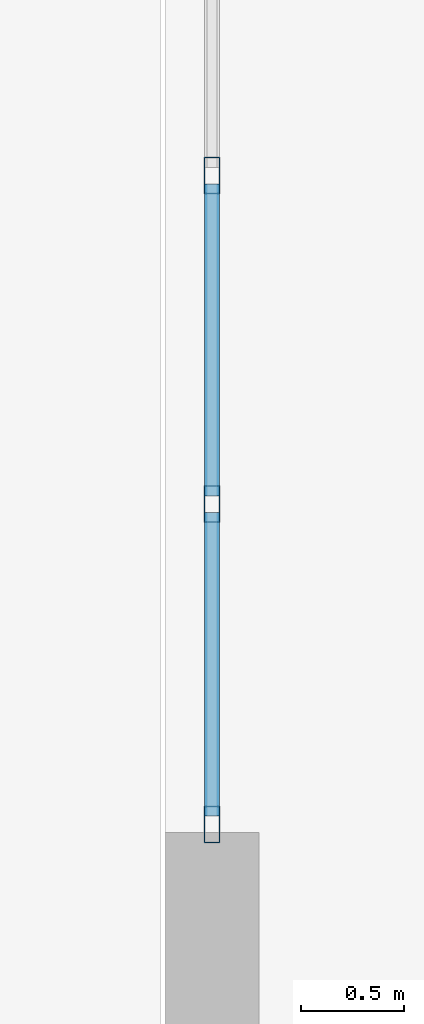
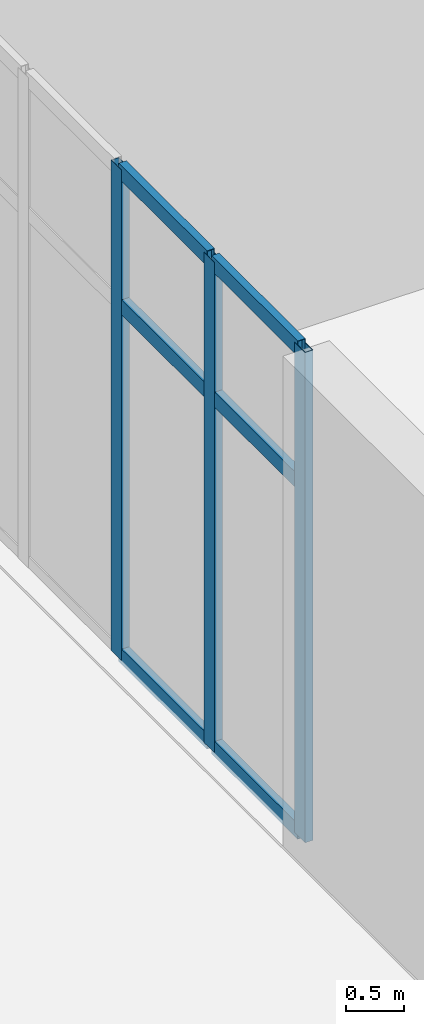
# One storey, part 7 of 30: 9 members, 1 element without a shape of its own.
"""IFC4 building model written with IfcOpenShell, lengths in metres."""

from ifc_helpers import new_model, si_unit, direction, frame, origin, origin_2d, place, context, subcontext, project, spatial, hollow_rectangle, extrude, source, transform, mapped, material, layer, layer_set, material_profile, profile_set, type_object, element, aggregate, save


model = new_model("IFC4")

# Units and contexts
model_context = context("Model", 3, precision=1e-05, world=origin(), true_north=direction((0.0, 1.0)))
body_context = subcontext(model_context, "Body", "Model", "MODEL_VIEW")
ifc_project = project(units=[si_unit("LENGTHUNIT", "METRE"), si_unit("AREAUNIT", "SQUARE_METRE"), si_unit("VOLUMEUNIT", "CUBIC_METRE"), si_unit("PLANEANGLEUNIT", "RADIAN"), si_unit("MASSUNIT", "GRAM", prefix="KILO")], contexts=[model_context])

# Site, building, storey
site_placement = place(None, origin())
site = spatial("IfcSite", under=ifc_project, at=site_placement, CompositionType="ELEMENT")
building_placement = place(site_placement, origin())
building = spatial("IfcBuilding", under=site, at=building_placement, Name="Liaohun Quay Tower", CompositionType="ELEMENT")
storey_placement = place(building_placement, origin())
storey = spatial("IfcBuildingStorey", under=building, at=storey_placement, Name="L01", CompositionType="ELEMENT", Elevation=0.0)

# Curtain wall, members
ifc_material_1 = material(Name="Thermally broken podium arcade storefront curtain wall")
ifc_layer = layer(ifc_material_1, 0.179931640625, Name="Thermally broken podium arcade storefront curtain wall")
ifc_layer_set = layer_set([ifc_layer], Name="Thermally broken podium arcade storefront curtain wall")
curtain_wall_type = type_object("IfcCurtainWallType", Name="CW-POD-RET", PredefinedType="NOTDEFINED", material=ifc_layer_set)
curtain_wall_placement = place(storey_placement, origin())
curtain_wall = element("IfcCurtainWall", 1, at=curtain_wall_placement, inside=storey, type_object=curtain_wall_type, Name="L01 Podium Arcade Storefront CW2-W2", PredefinedType="NOTDEFINED")
ifc_material_2 = material(Name="Anodised aluminium 6063-T6", Category="aluminium")
ifc_material_profile_1 = material_profile(ifc_material_2, hollow_rectangle(XDim=0.080078125, YDim=0.179931640625, WallThickness=0.0048828125, at=origin_2d()), Name="RHS180x80x5")
ifc_profile_set_1 = profile_set([ifc_material_profile_1], Name="Anodised aluminium 6063-T6")
member_type_1 = type_object("IfcMemberType", Name="MEM-CWM-POD", PredefinedType="MULLION", material=ifc_profile_set_1)
shared_shape_1 = source(origin(), body_context, "Body", "SweptSolid", [
    extrude(hollow_rectangle(XDim=0.080078125, YDim=0.179931640625, WallThickness=0.0048828125, at=origin_2d()), origin(), (0.0, 0.0, 1.0), 5.14990234375),
])
member_1_placement = place(storey_placement, frame((15.22998046875, 39.969970703125, 0.0), z_axis=(0.0, 0.0, 1.0), x_axis=(1.0, 0.0, 0.0)))
member_1 = element("IfcMember", 2, at=member_1_placement, type_object=member_type_1, Name="CW2 mullion 4", PredefinedType="MULLION", context=body_context, shape_type="MappedRepresentation", body=[
    mapped(shared_shape_1, transform((0.0, 0.0, 0.0), x_axis=(1.0, 0.0, 0.0), y_axis=(0.0, 1.0, 0.0), z_axis=(0.0, 0.0, 1.0), scale=1.0)),
])
member_2_placement = place(storey_placement, frame((15.22998046875, 38.3701171875, 0.0), z_axis=(0.0, 0.0, 1.0), x_axis=(1.0, 0.0, 0.0)))
member_2 = element("IfcMember", 3, at=member_2_placement, type_object=member_type_1, Name="CW2 mullion 5", PredefinedType="MULLION", context=body_context, shape_type="MappedRepresentation", body=[
    mapped(shared_shape_1, transform((0.0, 0.0, 0.0), x_axis=(1.0, 0.0, 0.0), y_axis=(0.0, 1.0, 0.0), z_axis=(0.0, 0.0, 1.0), scale=1.0)),
])
member_3_placement = place(storey_placement, frame((15.22998046875, 36.81005859375, 0.0), z_axis=(0.0, 0.0, 1.0), x_axis=(1.0, 0.0, 0.0)))
member_3 = element("IfcMember", 4, at=member_3_placement, type_object=member_type_1, Name="CW2 mullion 6", PredefinedType="MULLION", context=body_context, shape_type="MappedRepresentation", body=[
    mapped(shared_shape_1, transform((0.0, 0.0, 0.0), x_axis=(1.0, 0.0, 0.0), y_axis=(0.0, 1.0, 0.0), z_axis=(0.0, 0.0, 1.0), scale=1.0)),
])
ifc_material_profile_2 = material_profile(ifc_material_2, hollow_rectangle(XDim=0.074951171875, YDim=0.159912109375, WallThickness=0.0048828125, at=origin_2d()), Name="RHS160x75x5")
ifc_profile_set_2 = profile_set([ifc_material_profile_2], Name="Anodised aluminium 6063-T6")
member_type_2 = type_object("IfcMemberType", Name="MEM-CWT-POD", PredefinedType="USERDEFINED", material=ifc_profile_set_2)
shared_shape_2 = source(origin(), body_context, "Body", "SweptSolid", [
    extrude(hollow_rectangle(XDim=0.074951171875, YDim=0.159912109375, WallThickness=0.0048828125, at=origin_2d()), origin(), (0.0, 0.0, 1.0), 1.47998046875),
])
member_4_placement = place(storey_placement, frame((15.22998046875, 38.330078125, 0.03759765625), z_axis=(0.0, -1.0, 0.0), x_axis=(1.0, 0.0, 0.0)))
member_4 = element("IfcMember", 5, at=member_4_placement, type_object=member_type_2, Name="CW2 transom 5.1", ObjectType="TRANSOM", PredefinedType="USERDEFINED", context=body_context, shape_type="MappedRepresentation", body=[
    mapped(shared_shape_2, transform((0.0, 0.0, 0.0), x_axis=(1.0, 0.0, 0.0), y_axis=(0.0, 1.0, 0.0), z_axis=(0.0, 0.0, 1.0), scale=1.0)),
])
member_5_placement = place(storey_placement, frame((15.22998046875, 38.330078125, 3.7080078125), z_axis=(0.0, -1.0, 0.0), x_axis=(1.0, 0.0, 0.0)))
member_5 = element("IfcMember", 6, at=member_5_placement, type_object=member_type_2, Name="CW2 transom 5.2", ObjectType="TRANSOM", PredefinedType="USERDEFINED", context=body_context, shape_type="MappedRepresentation", body=[
    mapped(shared_shape_2, transform((0.0, 0.0, 0.0), x_axis=(1.0, 0.0, 0.0), y_axis=(0.0, 1.0, 0.0), z_axis=(0.0, 0.0, 1.0), scale=1.0)),
])
member_6_placement = place(storey_placement, frame((15.22998046875, 38.330078125, 5.112548828125), z_axis=(0.0, -1.0, 0.0), x_axis=(1.0, 0.0, 0.0)))
member_6 = element("IfcMember", 7, at=member_6_placement, type_object=member_type_2, Name="CW2 transom 5.3", ObjectType="TRANSOM", PredefinedType="USERDEFINED", context=body_context, shape_type="MappedRepresentation", body=[
    mapped(shared_shape_2, transform((0.0, 0.0, 0.0), x_axis=(1.0, 0.0, 0.0), y_axis=(0.0, 1.0, 0.0), z_axis=(0.0, 0.0, 1.0), scale=1.0)),
])
shared_shape_3 = source(origin(), body_context, "Body", "SweptSolid", [
    extrude(hollow_rectangle(XDim=0.074951171875, YDim=0.159912109375, WallThickness=0.0048828125, at=origin_2d()), origin(), (0.0, 0.0, 1.0), 1.52001953125),
])
member_7_placement = place(storey_placement, frame((15.22998046875, 39.929931640625, 0.03759765625), z_axis=(0.0, -1.0, 0.0), x_axis=(1.0, 0.0, 0.0)))
member_7 = element("IfcMember", 8, at=member_7_placement, type_object=member_type_2, Name="CW2 transom 4.1", ObjectType="TRANSOM", PredefinedType="USERDEFINED", context=body_context, shape_type="MappedRepresentation", body=[
    mapped(shared_shape_3, transform((0.0, 0.0, 0.0), x_axis=(1.0, 0.0, 0.0), y_axis=(0.0, 1.0, 0.0), z_axis=(0.0, 0.0, 1.0), scale=1.0)),
])
member_8_placement = place(storey_placement, frame((15.22998046875, 39.929931640625, 3.7080078125), z_axis=(0.0, -1.0, 0.0), x_axis=(1.0, 0.0, 0.0)))
member_8 = element("IfcMember", 9, at=member_8_placement, type_object=member_type_2, Name="CW2 transom 4.2", ObjectType="TRANSOM", PredefinedType="USERDEFINED", context=body_context, shape_type="MappedRepresentation", body=[
    mapped(shared_shape_3, transform((0.0, 0.0, 0.0), x_axis=(1.0, 0.0, 0.0), y_axis=(0.0, 1.0, 0.0), z_axis=(0.0, 0.0, 1.0), scale=1.0)),
])
member_9_placement = place(storey_placement, frame((15.22998046875, 39.929931640625, 5.112548828125), z_axis=(0.0, -1.0, 0.0), x_axis=(1.0, 0.0, 0.0)))
member_9 = element("IfcMember", 10, at=member_9_placement, type_object=member_type_2, Name="CW2 transom 4.3", ObjectType="TRANSOM", PredefinedType="USERDEFINED", context=body_context, shape_type="MappedRepresentation", body=[
    mapped(shared_shape_3, transform((0.0, 0.0, 0.0), x_axis=(1.0, 0.0, 0.0), y_axis=(0.0, 1.0, 0.0), z_axis=(0.0, 0.0, 1.0), scale=1.0)),
])
aggregate(curtain_wall, [member_1, member_2, member_3, member_7, member_8, member_9, member_4, member_5, member_6])

save(model, "model.ifc")
